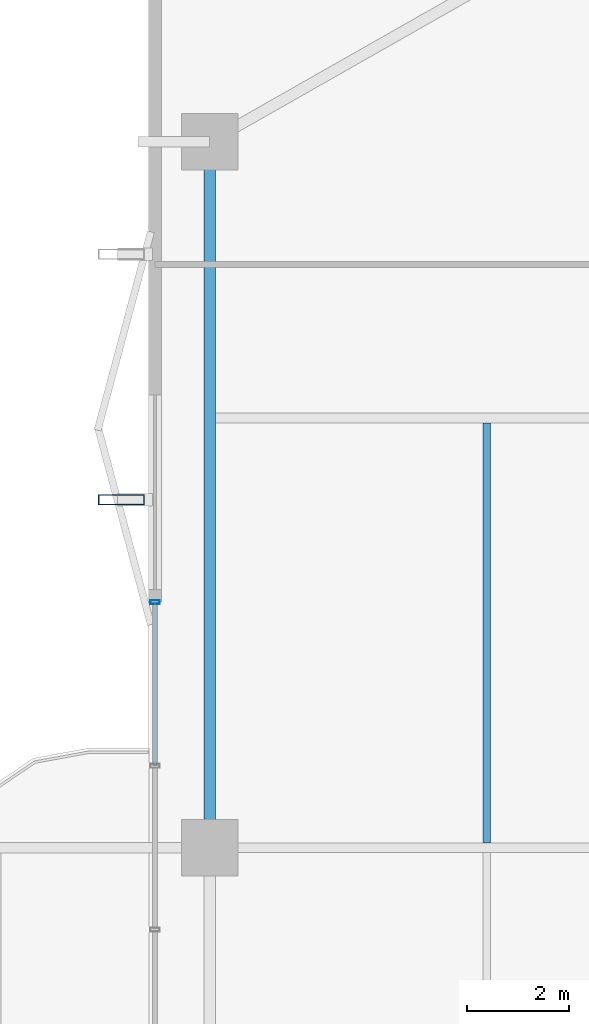
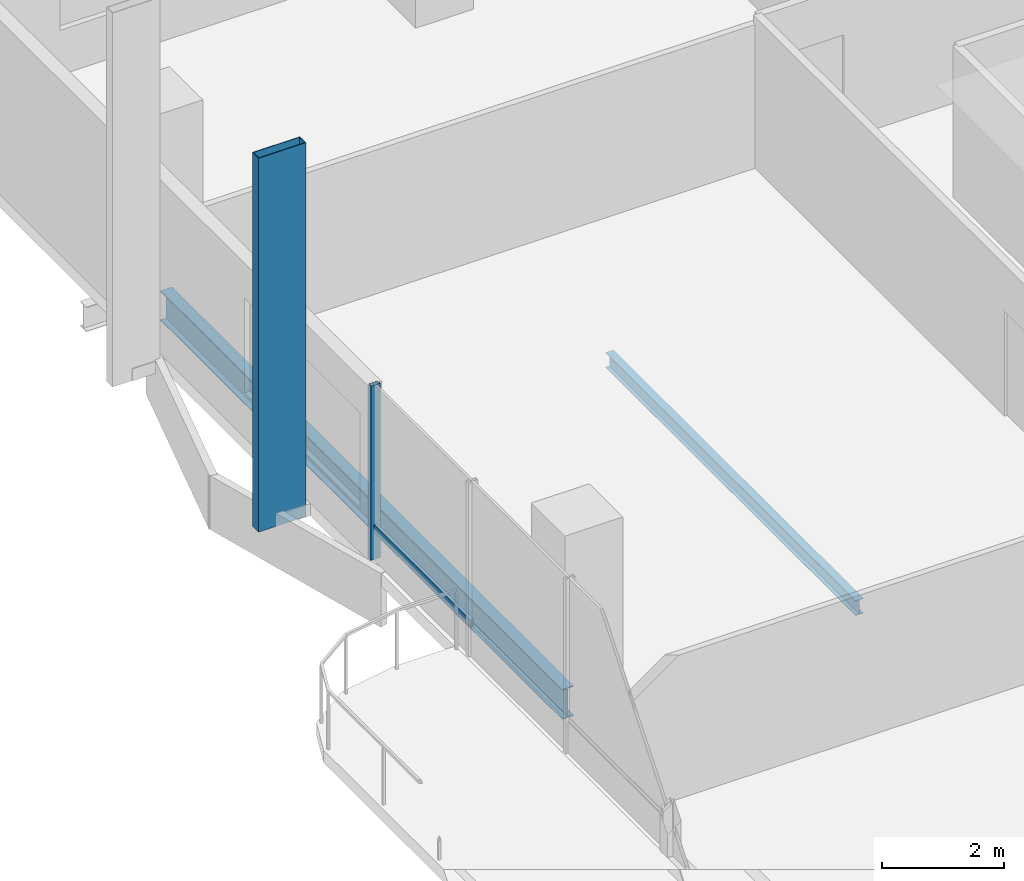
# One storey, part 9 of 24: 3 members, 2 beams, 1 element without a shape of its own.
"""IFC4 building model written with IfcOpenShell, lengths in metres."""

from ifc_helpers import new_model, si_unit, direction, frame, origin, origin_2d, place, context, subcontext, project, spatial, hollow_rectangle, i_section, extrude, material, layer, layer_set, material_profile, profile_set, type_object, element, aggregate, save


model = new_model("IFC4")

# Units and contexts
model_context = context("Model", 3, precision=1e-05, world=origin(), true_north=direction((0.0, 1.0)))
body_context = subcontext(model_context, "Body", "Model", "MODEL_VIEW")
ifc_project = project(units=[si_unit("LENGTHUNIT", "METRE"), si_unit("AREAUNIT", "SQUARE_METRE"), si_unit("VOLUMEUNIT", "CUBIC_METRE"), si_unit("PLANEANGLEUNIT", "RADIAN"), si_unit("MASSUNIT", "GRAM", prefix="KILO")], contexts=[model_context])

# Site, building, storey
site_placement = place(None, origin())
site = spatial("IfcSite", under=ifc_project, at=site_placement, CompositionType="ELEMENT")
building_placement = place(site_placement, origin())
building = spatial("IfcBuilding", under=site, at=building_placement, Name="Belovzor Exchange Tower", CompositionType="ELEMENT")
storey_placement = place(building_placement, frame((0.0, 0.0, 233.699951171875)))
storey = spatial("IfcBuildingStorey", under=building, at=storey_placement, Name="L58", CompositionType="ELEMENT", Elevation=233.699951171875)

# Beam
ifc_material_1 = material(Name="Steel S355", Category="steel")
ifc_material_profile_1 = material_profile(ifc_material_1, i_section(OverallWidth=0.14990234375, OverallDepth=0.300048828125, WebThickness=0.007080078125, FlangeThickness=0.0107421875, at=origin_2d()))
ifc_profile_set_1 = profile_set([ifc_material_profile_1], Name="Steel S355")
beam_type_1 = type_object("IfcBeamType", Name="Secondary Trim Floor Joist IPE 300", PredefinedType="BEAM", material=ifc_profile_set_1)
beam_1_placement = place(storey_placement, frame((8.4130859375, 28.89501953125, -0.39990234375), z_axis=(0.0, 1.0, 0.0), x_axis=(-1.0, 0.0, 0.0)))
element("IfcBeam", 1, at=beam_1_placement, inside=storey, type_object=beam_type_1, Name="FJ-300 Secondary Trim Floor Joist IPE 300", PredefinedType="BEAM", context=body_context, shape_type="SweptSolid", body=[
    extrude(i_section(OverallWidth=0.14990234375, OverallDepth=0.300048828125, WebThickness=0.007080078125, FlangeThickness=0.0107421875, at=origin_2d()), origin(), (0.0, 0.0, 1.0), 8.2099609375),
])

# Member
ifc_material_2 = material(Name="Extruded Architectural Terracotta on Steel S355 Carrier", Category="masonry")
ifc_material_profile_2 = material_profile(ifc_material_2, hollow_rectangle(XDim=0.199951171875, YDim=0.89990234375, WallThickness=0.011962890625, at=origin_2d()))
ifc_profile_set_2 = profile_set([ifc_material_profile_2], Name="Extruded Architectural Terracotta on Steel S355 Carrier")
member_type_1 = type_object("IfcMemberType", Name="Sweeping Terracotta Baguette Fin Assembly 950", PredefinedType="USERDEFINED", material=ifc_profile_set_2)
member_1_placement = place(storey_placement, frame((1.27490234375, 35.60009765625, -0.25), z_axis=(0.0, 0.0, 1.0), x_axis=(0.0, 1.0, 0.0)))
element("IfcMember", 2, at=member_1_placement, inside=storey, type_object=member_type_1, Name="FIN-TC095 Terracotta Facade Fin L58 W3", ObjectType="FIN", PredefinedType="USERDEFINED", context=body_context, shape_type="SweptSolid", body=[
    extrude(hollow_rectangle(XDim=0.199951171875, YDim=0.89990234375, WallThickness=0.011962890625, at=origin_2d()), origin(), (0.0, 0.0, 1.0), 7.5),
])

# Curtain wall, members
ifc_material_3 = material(Name="Anodised Aluminium Framing", Category="aluminium")
ifc_layer = layer(ifc_material_3, 0.179931640625)
ifc_layer_set = layer_set([ifc_layer], Name="Anodised Aluminium Framing")
curtain_wall_type = type_object("IfcCurtainWallType", Name="Recessed Loggia Low-Iron Triple-Glazed Curtain Wall", PredefinedType="NOTDEFINED", material=ifc_layer_set)
curtain_wall_placement = place(storey_placement, origin())
curtain_wall = element("IfcCurtainWall", 3, at=curtain_wall_placement, inside=storey, type_object=curtain_wall_type, Name="CW3 Recessed Loggia Low-Iron Triple-Glazed Curtain Wall L58", PredefinedType="NOTDEFINED")
ifc_material_4 = material(Name="Steel S355", Category="steel")
ifc_material_profile_3 = material_profile(ifc_material_4, hollow_rectangle(XDim=0.074951171875, YDim=0.179931640625, WallThickness=0.0048828125, at=origin_2d()))
ifc_profile_set_3 = profile_set([ifc_material_profile_3], Name="Steel S355")
member_type_2 = type_object("IfcMemberType", Name="Thermally Broken Curtain Wall Mullion 180x75", PredefinedType="MULLION", material=ifc_profile_set_3)
member_2_placement = place(storey_placement, frame((1.929931640625, 33.60009765625, 0.0), z_axis=(0.0, 0.0, 1.0), x_axis=(0.0, 1.0, 0.0)))
member_2 = element("IfcMember", 4, at=member_2_placement, type_object=member_type_2, Name="CW-M180 Curtain Wall Mullion 4", PredefinedType="MULLION", context=body_context, shape_type="SweptSolid", body=[
    extrude(hollow_rectangle(XDim=0.074951171875, YDim=0.179931640625, WallThickness=0.0048828125, at=origin_2d()), origin(), (0.0, 0.0, 1.0), 3.5),
])
ifc_material_5 = material(Name="Steel S355", Category="steel")
ifc_material_profile_4 = material_profile(ifc_material_5, hollow_rectangle(XDim=0.06005859375, YDim=0.14990234375, WallThickness=0.00390625, at=origin_2d()))
ifc_profile_set_4 = profile_set([ifc_material_profile_4], Name="Steel S355")
member_type_3 = type_object("IfcMemberType", Name="Thermally Broken Curtain Wall Transom 150x60", PredefinedType="USERDEFINED", material=ifc_profile_set_4)
member_3_placement = place(storey_placement, frame((1.929931640625, 30.407958984375, 0.630126953125), z_axis=(0.0, 1.0, 0.0), x_axis=(-1.0, 0.0, 0.0)))
member_3 = element("IfcMember", 5, at=member_3_placement, type_object=member_type_3, Name="CW-T150 Curtain Wall Transom 3", ObjectType="TRANSOM", PredefinedType="USERDEFINED", context=body_context, shape_type="SweptSolid", body=[
    extrude(hollow_rectangle(XDim=0.06005859375, YDim=0.14990234375, WallThickness=0.00390625, at=origin_2d()), origin(), (0.0, 0.0, 1.0), 3.18408203125),
])
aggregate(curtain_wall, [member_2, member_3])

# Beam
ifc_material_6 = material(Name="Steel S355", Category="steel")
ifc_material_profile_5 = material_profile(ifc_material_6, i_section(OverallWidth=0.219970703125, OverallDepth=0.60009765625, WebThickness=0.011962890625, FlangeThickness=0.01904296875, at=origin_2d()))
ifc_profile_set_5 = profile_set([ifc_material_profile_5], Name="Steel S355")
beam_type_2 = type_object("IfcBeamType", Name="Zone 4 Flare Primary Girder IPE 600", PredefinedType="BEAM", material=ifc_profile_set_5)
beam_2_placement = place(storey_placement, frame((3.0, 42.297119140625, -0.550048828125), z_axis=(0.0, -1.0, 0.0), x_axis=(1.0, 0.0, 0.0)))
element("IfcBeam", 6, at=beam_2_placement, inside=storey, type_object=beam_type_2, Name="FG-Z4 Zone 4 Flare Primary Girder IPE 600", PredefinedType="BEAM", context=body_context, shape_type="SweptSolid", body=[
    extrude(i_section(OverallWidth=0.219970703125, OverallDepth=0.60009765625, WebThickness=0.011962890625, FlangeThickness=0.01904296875, at=origin_2d()), origin(), (0.0, 0.0, 1.0), 13.195068359375),
])

save(model, "model.ifc")
